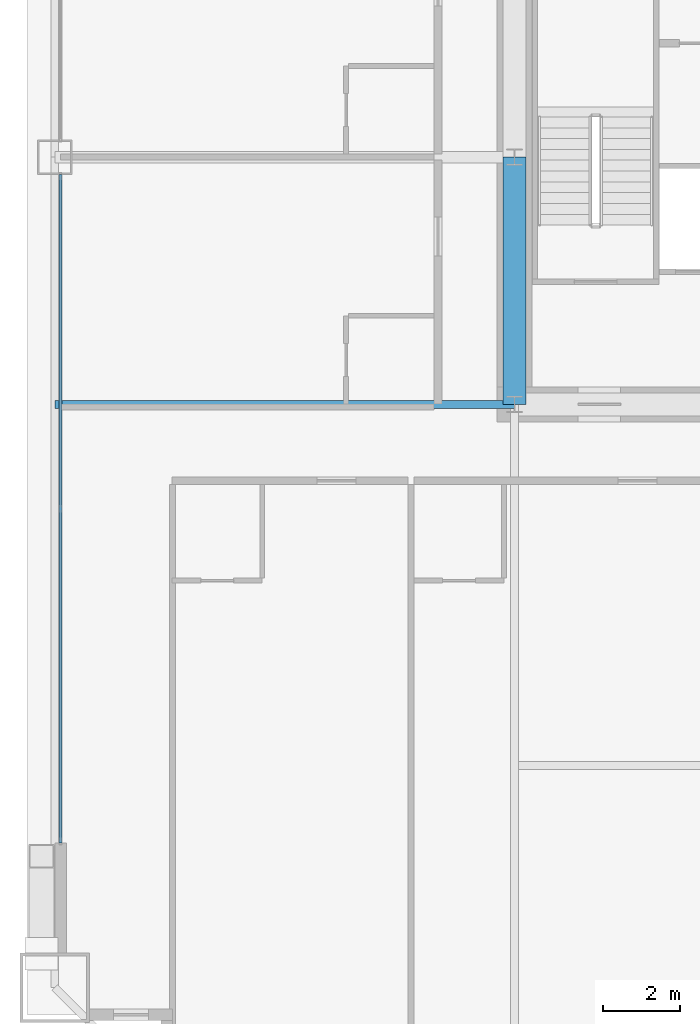
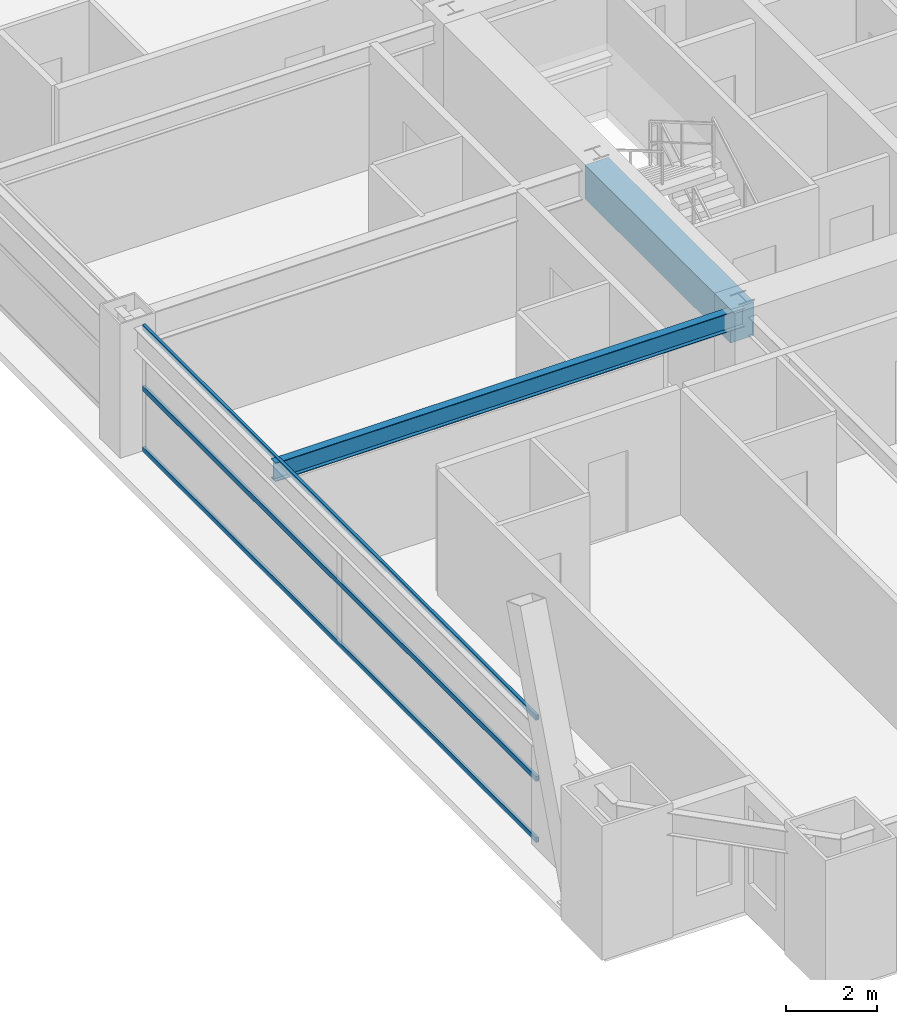
# One storey, part 10 of 43: 3 members, 2 beams, 1 element without a shape of its own.
"""IFC4 building model written with IfcOpenShell, lengths in metres."""

import ifcopenshell
import ifcopenshell.guid

model = None  # the IFC model being written
_history = None  # IfcOwnerHistory: only IFC2X3 demands one
_inside = {}  # id of a spatial element -> (the spatial element, [elements in it])
_under = {}  # id of a project, library or spatial element -> (it, [spatial elements below it])
_declared = {}  # id of a project -> (the project, [libraries it declares])
_typed = {}  # id of a type object -> (the type object, [elements of that type])
_made_of = {}  # id of a material, layer set ... -> (it, [elements and type objects made of it])


def new_model(schema):
    """Start an empty IFC model of exactly this schema.

    Asked for "IFC4X3", IfcOpenShell would pick the latest addendum, in which some entities
    have other attributes; the version numbers below select the first issue.
    IFC2X3 requires an IfcOwnerHistory on every rooted entity: one is made here for all.
    """
    global model, _history
    if schema == "IFC4X3":
        model = ifcopenshell.file(schema_version=(4, 3, 0, 0))
    else:
        model = ifcopenshell.file(schema=schema)
    _inside.clear()
    _under.clear()
    _declared.clear()
    _typed.clear()
    _made_of.clear()
    _history = None
    if model.schema == "IFC2X3":
        org = make("IfcOrganization", Name="unknown")
        user = make(
            "IfcPersonAndOrganization",
            ThePerson=make("IfcPerson", FamilyName="unknown"),
            TheOrganization=org,
        )
        app = make(
            "IfcApplication",
            ApplicationDeveloper=org,
            Version="unknown",
            ApplicationFullName="unknown",
            ApplicationIdentifier="unknown",
        )
        _history = make(
            "IfcOwnerHistory",
            OwningUser=user,
            OwningApplication=app,
            ChangeAction="ADDED",
            CreationDate=0,
        )
    return model


def make(cls, **values):
    """One entity of the class cls with the attributes given. An attribute that is None is left unset."""
    return model.create_entity(
        cls, **{name: value for name, value in values.items() if value is not None}
    )


def rooted(cls, **values):
    """An entity with a GlobalId (a new one), such as an element, a storey or a relation."""
    return make(cls, GlobalId=ifcopenshell.guid.new(), OwnerHistory=_history, **values)


def si_unit(unit_type, name, prefix=None):
    """IfcSIUnit, for example si_unit("LENGTHUNIT", "METRE", prefix="MILLI")."""
    return make("IfcSIUnit", UnitType=unit_type, Prefix=prefix, Name=name)


def assignment(units):
    """IfcUnitAssignment: the units of a project."""
    return None if units is None else make("IfcUnitAssignment", Units=units)


def point(xyz):
    """IfcCartesianPoint."""
    return None if xyz is None else make("IfcCartesianPoint", Coordinates=xyz)


def direction(xyz):
    """IfcDirection."""
    return None if xyz is None else make("IfcDirection", DirectionRatios=xyz)


def frame(location, z_axis=None, x_axis=None):
    """IfcAxis2Placement3D, a coordinate frame: its origin and axes. An axis left out is left unset."""
    return make(
        "IfcAxis2Placement3D",
        Location=point(location),
        Axis=direction(z_axis),
        RefDirection=direction(x_axis),
    )


def frame_2d(location, x_axis=None):
    """IfcAxis2Placement2D, a coordinate frame in the plane: its origin and x axis."""
    return make(
        "IfcAxis2Placement2D", Location=point(location), RefDirection=direction(x_axis)
    )


def origin():
    """The frame at (0, 0, 0) with its axes left unset."""
    return frame((0.0, 0.0, 0.0))


def origin_2d():
    """The frame at (0, 0) in the plane with its x axis left unset."""
    return frame_2d((0.0, 0.0))


def place(relative_to, where):
    """IfcLocalPlacement: puts the frame where relative to a parent placement (None: the world)."""
    return make(
        "IfcLocalPlacement", PlacementRelTo=relative_to, RelativePlacement=where
    )


def context(
    kind, dimensions, precision=None, world=None, true_north=None, identifier=None
):
    """IfcGeometricRepresentationContext, for example the 3D "Model" context."""
    return make(
        "IfcGeometricRepresentationContext",
        ContextIdentifier=identifier,
        ContextType=kind,
        CoordinateSpaceDimension=dimensions,
        Precision=precision,
        WorldCoordinateSystem=world,
        TrueNorth=true_north,
    )


def subcontext(parent, identifier, kind, view, scale=None):
    """IfcGeometricRepresentationSubContext, for example "Body" below "Model"."""
    return make(
        "IfcGeometricRepresentationSubContext",
        ContextIdentifier=identifier,
        ContextType=kind,
        ParentContext=parent,
        TargetScale=scale,
        TargetView=view,
    )


def project(units=None, contexts=None):
    """IfcProject with its units and contexts."""
    return rooted(
        "IfcProject",
        Name="project",
        RepresentationContexts=contexts,
        UnitsInContext=assignment(units),
    )


def spatial(cls, under=None, at=None, **own):
    """A site, building, storey or space (cls), placed at a placement, below another one or the project."""
    s = rooted(cls, ObjectPlacement=at, **own)
    if under is not None:
        _under.setdefault(under.id(), (under, []))[1].append(s)
    return s


def profile(cls, at=None, kind="AREA", **sizes):
    """A parametric profile (cls). Its sizes go by their IFC names, for example OverallWidth=200.0."""
    return make(cls, ProfileType=kind, Position=at, **sizes)


def rectangle(**sizes):
    """IfcRectangleProfileDef."""
    return profile("IfcRectangleProfileDef", **sizes)


def hollow_rectangle(**sizes):
    """IfcRectangleHollowProfileDef."""
    return profile("IfcRectangleHollowProfileDef", **sizes)


def i_section(**sizes):
    """IfcIShapeProfileDef."""
    return profile("IfcIShapeProfileDef", **sizes)


def extrude(swept, where, along, depth):
    """IfcExtrudedAreaSolid: the profile swept, set in the frame where, extruded along a direction by depth."""
    return make(
        "IfcExtrudedAreaSolid",
        SweptArea=swept,
        Position=where,
        ExtrudedDirection=direction(along),
        Depth=depth,
    )


def shape(context_of_items, identifier, shape_type, items):
    """IfcShapeRepresentation: the items that make up one representation, for example the "Body"."""
    return make(
        "IfcShapeRepresentation",
        ContextOfItems=context_of_items,
        RepresentationIdentifier=identifier,
        RepresentationType=shape_type,
        Items=items,
    )


def source(mapping_origin, context_of_items, identifier, shape_type, items):
    """IfcRepresentationMap: a shape defined once, which mapped items show again and again."""
    return make(
        "IfcRepresentationMap",
        MappingOrigin=mapping_origin,
        MappedRepresentation=shape(context_of_items, identifier, shape_type, items),
    )


def transform(
    local_origin,
    x_axis=None,
    y_axis=None,
    z_axis=None,
    scale=None,
    scale2=None,
    scale3=None,
    uniform=True,
):
    """IfcCartesianTransformationOperator3D, or its non-uniform kind. x_axis, y_axis, z_axis: its Axis1, 2, 3."""
    if uniform:
        return make(
            "IfcCartesianTransformationOperator3D",
            Axis1=direction(x_axis),
            Axis2=direction(y_axis),
            LocalOrigin=point(local_origin),
            Scale=scale,
            Axis3=direction(z_axis),
        )
    return make(
        "IfcCartesianTransformationOperator3DnonUniform",
        Axis1=direction(x_axis),
        Axis2=direction(y_axis),
        LocalOrigin=point(local_origin),
        Scale=scale,
        Axis3=direction(z_axis),
        Scale2=scale2,
        Scale3=scale3,
    )


def mapped(mapping_source, mapping_target):
    """IfcMappedItem: shows the shape of a source again, moved by a transform."""
    return make(
        "IfcMappedItem", MappingSource=mapping_source, MappingTarget=mapping_target
    )


def material(Name=None, Category=None):
    """IfcMaterial."""
    return make("IfcMaterial", Name=Name, Category=Category)


def layer(
    of_material, thickness, ventilated=None, Name=None, Category=None, Priority=None
):
    """IfcMaterialLayer: one layer of a wall or slab, of a material (None: an air gap)."""
    return make(
        "IfcMaterialLayer",
        Material=of_material,
        LayerThickness=thickness,
        IsVentilated=ventilated,
        Name=Name,
        Category=Category,
        Priority=Priority,
    )


def layer_set(layers, Name=None):
    """IfcMaterialLayerSet."""
    return make("IfcMaterialLayerSet", MaterialLayers=layers, LayerSetName=Name)


def material_profile(
    of_material, cross_section, Name=None, Category=None, Priority=None
):
    """IfcMaterialProfile: a cross section and its material."""
    return make(
        "IfcMaterialProfile",
        Name=Name,
        Material=of_material,
        Profile=cross_section,
        Priority=Priority,
        Category=Category,
    )


def profile_set(profiles, Name=None, composite=None):
    """IfcMaterialProfileSet."""
    return make(
        "IfcMaterialProfileSet",
        Name=Name,
        MaterialProfiles=profiles,
        CompositeProfile=composite,
    )


def made_of(thing, what):
    """Note that an element or type object is made of a material, layer set ...; save() writes the relation."""
    if what is not None:
        _made_of.setdefault(what.id(), (what, []))[1].append(thing)
    return thing


def type_object(cls, material=None, **own):
    """A type object (cls), such as IfcWallType, which elements share."""
    return made_of(rooted(cls, **own), material)


def element(
    cls,
    number,
    at=None,
    inside=None,
    cuts=None,
    type_object=None,
    material=None,
    context=None,
    identifier="Body",
    shape_type=None,
    held_by="IfcProductDefinitionShape",
    body=None,
    shapes=None,
    **own,
):
    """One element of the class cls, such as IfcWall. Its Tag is "e" and its number.

    at: its placement. inside: the storey or other place that contains it. cuts: it is an
    opening in that element (IfcRelVoidsElement). A single representation is given by context,
    identifier, shape_type and body (its items); several are given by shapes. held_by: the class
    of the entity that holds the representations. save() writes the other relations.
    """
    e = rooted(cls, Tag="e%d" % number, ObjectPlacement=at, **own)
    if body is not None:
        shapes = [shape(context, identifier, shape_type, body)]
    if shapes is not None:
        e.Representation = make(held_by, Representations=shapes)
    if inside is not None:
        _inside.setdefault(inside.id(), (inside, []))[1].append(e)
    if cuts is not None:
        rooted(
            "IfcRelVoidsElement", RelatingBuildingElement=cuts, RelatedOpeningElement=e
        )
    if type_object is not None:
        _typed.setdefault(type_object.id(), (type_object, []))[1].append(e)
    return made_of(e, material)


def aggregate(whole, parts):
    """IfcRelAggregates: a whole, such as a stair, and the parts it consists of."""
    return rooted("IfcRelAggregates", RelatingObject=whole, RelatedObjects=parts)


def save(model, path):
    """Write the relations noted so far, then the file.

    IfcRelAggregates (storeys below a building ...), IfcRelContainedInSpatialStructure (elements
    in a storey), IfcRelDefinesByType, IfcRelAssociatesMaterial and IfcRelDeclares: one each for
    every whole, place, type object, material and project.
    """
    for whole, parts in _under.values():
        aggregate(whole, parts)
    for where, things in _inside.values():
        rooted(
            "IfcRelContainedInSpatialStructure",
            RelatedElements=things,
            RelatingStructure=where,
        )
    for kind, things in _typed.values():
        rooted("IfcRelDefinesByType", RelatedObjects=things, RelatingType=kind)
    for what, things in _made_of.values():
        rooted("IfcRelAssociatesMaterial", RelatedObjects=things, RelatingMaterial=what)
    for by, libraries in _declared.values():
        rooted("IfcRelDeclares", RelatingContext=by, RelatedDefinitions=libraries)
    model.write(path)


model = new_model("IFC4")

# Units and contexts
model_context = context("Model", 3, precision=1e-05, world=origin(), true_north=direction((0.0, 1.0)))
body_context = subcontext(model_context, "Body", "Model", "MODEL_VIEW")
ifc_project = project(units=[si_unit("LENGTHUNIT", "METRE"), si_unit("AREAUNIT", "SQUARE_METRE"), si_unit("VOLUMEUNIT", "CUBIC_METRE"), si_unit("PLANEANGLEUNIT", "RADIAN"), si_unit("MASSUNIT", "GRAM", prefix="KILO"), si_unit("THERMODYNAMICTEMPERATUREUNIT", "KELVIN"), si_unit("POWERUNIT", "WATT")], contexts=[model_context])

# Site, building, storey
site_placement = place(None, origin())
site = spatial("IfcSite", under=ifc_project, at=site_placement, CompositionType="ELEMENT")
building_placement = place(site_placement, origin())
building = spatial("IfcBuilding", under=site, at=building_placement, Name="Yuzanri Waterfront Tower", CompositionType="ELEMENT")
storey_placement = place(building_placement, frame((0.0, 0.0, 60.39990234375)))
storey = spatial("IfcBuildingStorey", under=building, at=storey_placement, Name="L15", CompositionType="ELEMENT", Elevation=60.39990234375)

# Beams
ifc_material_1 = material(Name="Concrete C60", Category="concrete")
ifc_material_profile_1 = material_profile(ifc_material_1, rectangle(XDim=0.60009765625, YDim=0.89990234375, at=origin_2d()), Name="RC 600x900")
ifc_profile_set_1 = profile_set([ifc_material_profile_1], Name="Concrete C60")
beam_type_1 = type_object("IfcBeamType", Name="Core Coupling Lintel Concrete C60 600x900", PredefinedType="LINTEL", material=ifc_profile_set_1)
shared_shape_1 = source(origin(), body_context, "Body", "SweptSolid", [
    extrude(rectangle(XDim=0.60009765625, YDim=0.89990234375, at=origin_2d()), origin(), (0.0, 0.0, 1.0), 6.400146484375),
])
beam_1_placement = place(storey_placement, frame((23.800048828125, 19.39990234375, 2.93017578125), z_axis=(0.0, 1.0, 0.0), x_axis=(-1.0, 0.0, 0.0)))
element("IfcBeam", 1, at=beam_1_placement, inside=storey, type_object=beam_type_1, Name="L15 Core Tie Beam CW1", PredefinedType="LINTEL", context=body_context, shape_type="MappedRepresentation", body=[
    mapped(shared_shape_1, transform((0.0, 0.0, 0.0), scale=1.0)),
])
ifc_material_2 = material(Name="Steel Q355B", Category="steel")
ifc_material_profile_2 = material_profile(ifc_material_2, i_section(OverallWidth=0.199951171875, OverallDepth=0.5, WebThickness=0.010009765625, FlangeThickness=0.01611328125, at=origin_2d()), Name="HN 500x200x10x16")
ifc_profile_set_2 = profile_set([ifc_material_profile_2], Name="Steel Q355B")
beam_type_2 = type_object("IfcBeamType", Name="Secondary Floor Beam Q355B HN 500x200", PredefinedType="BEAM", material=ifc_profile_set_2)
shared_shape_2 = source(origin(), body_context, "Body", "SweptSolid", [
    extrude(i_section(OverallWidth=0.199951171875, OverallDepth=0.5, WebThickness=0.010009765625, FlangeThickness=0.01611328125, at=origin_2d()), origin(), (0.0, 0.0, 1.0), 11.900146484375),
])
beam_2_placement = place(storey_placement, frame((23.800048828125, 19.39990234375, 3.130126953125), z_axis=(-1.0, 0.0, 0.0), x_axis=(0.0, -1.0, 0.0)))
element("IfcBeam", 2, at=beam_2_placement, inside=storey, type_object=beam_type_2, Name="L15 West-South Core Line Beam", PredefinedType="BEAM", context=body_context, shape_type="MappedRepresentation", body=[
    mapped(shared_shape_2, transform((0.0, 0.0, 0.0), scale=1.0)),
])

# Curtain wall, members
ifc_material_3 = material(Name="Anodized Architectural Bronze", Category="metal")
ifc_layer = layer(ifc_material_3, 0.159912109375)
ifc_layer_set = layer_set([ifc_layer], Name="Anodized Architectural Bronze")
curtain_wall_type = type_object("IfcCurtainWallType", Name="Anodized Bronze Hotel Lower-Tier Recessed Unitized Curtain Wall 8100", PredefinedType="NOTDEFINED", material=ifc_layer_set)
curtain_wall_placement = place(storey_placement, origin())
curtain_wall = element("IfcCurtainWall", 3, at=curtain_wall_placement, inside=storey, type_object=curtain_wall_type, Name="L15 Curtain Wall CW-L15-WL", PredefinedType="NOTDEFINED")
ifc_material_4 = material(Name="Anodized Architectural Bronze", Category="metal")
ifc_material_profile_3 = material_profile(ifc_material_4, hollow_rectangle(XDim=0.070068359375, YDim=0.135009765625, WallThickness=0.00341796875, at=origin_2d()), Name="CWT 70x135")
ifc_profile_set_3 = profile_set([ifc_material_profile_3], Name="Anodized Architectural Bronze")
member_type = type_object("IfcMemberType", Name="Anodized Bronze Standard Curtain-Wall Transom 70x135", PredefinedType="USERDEFINED", material=ifc_profile_set_3)
shared_shape_3 = source(origin(), body_context, "Body", "SweptSolid", [
    extrude(hollow_rectangle(XDim=0.070068359375, YDim=0.135009765625, WallThickness=0.00341796875, at=origin_2d()), origin(), (0.0, 0.0, 1.0), 17.300048828125),
])
member_1_placement = place(storey_placement, frame((12.050048828125, 8.050048828125, 0.050048828125), z_axis=(0.0, 1.0, 0.0), x_axis=(-1.0, 0.0, 0.0)))
member_1 = element("IfcMember", 4, at=member_1_placement, type_object=member_type, Name="CW-L15-WL Transom 1", ObjectType="TRANSOM", PredefinedType="USERDEFINED", context=body_context, shape_type="MappedRepresentation", body=[
    mapped(shared_shape_3, transform((0.0, 0.0, 0.0), scale=1.0)),
])
member_2_placement = place(storey_placement, frame((12.050048828125, 8.050048828125, 1.690185546875), z_axis=(0.0, 1.0, 0.0), x_axis=(-1.0, 0.0, 0.0)))
member_2 = element("IfcMember", 5, at=member_2_placement, type_object=member_type, Name="CW-L15-WL Transom 2", ObjectType="TRANSOM", PredefinedType="USERDEFINED", context=body_context, shape_type="MappedRepresentation", body=[
    mapped(shared_shape_3, transform((0.0, 0.0, 0.0), scale=1.0)),
])
member_3_placement = place(storey_placement, frame((12.050048828125, 8.050048828125, 3.330078125), z_axis=(0.0, 1.0, 0.0), x_axis=(-1.0, 0.0, 0.0)))
member_3 = element("IfcMember", 6, at=member_3_placement, type_object=member_type, Name="CW-L15-WL Transom 3", ObjectType="TRANSOM", PredefinedType="USERDEFINED", context=body_context, shape_type="MappedRepresentation", body=[
    mapped(shared_shape_3, transform((0.0, 0.0, 0.0), scale=1.0)),
])
aggregate(curtain_wall, [member_1, member_2, member_3])

save(model, "model.ifc")
